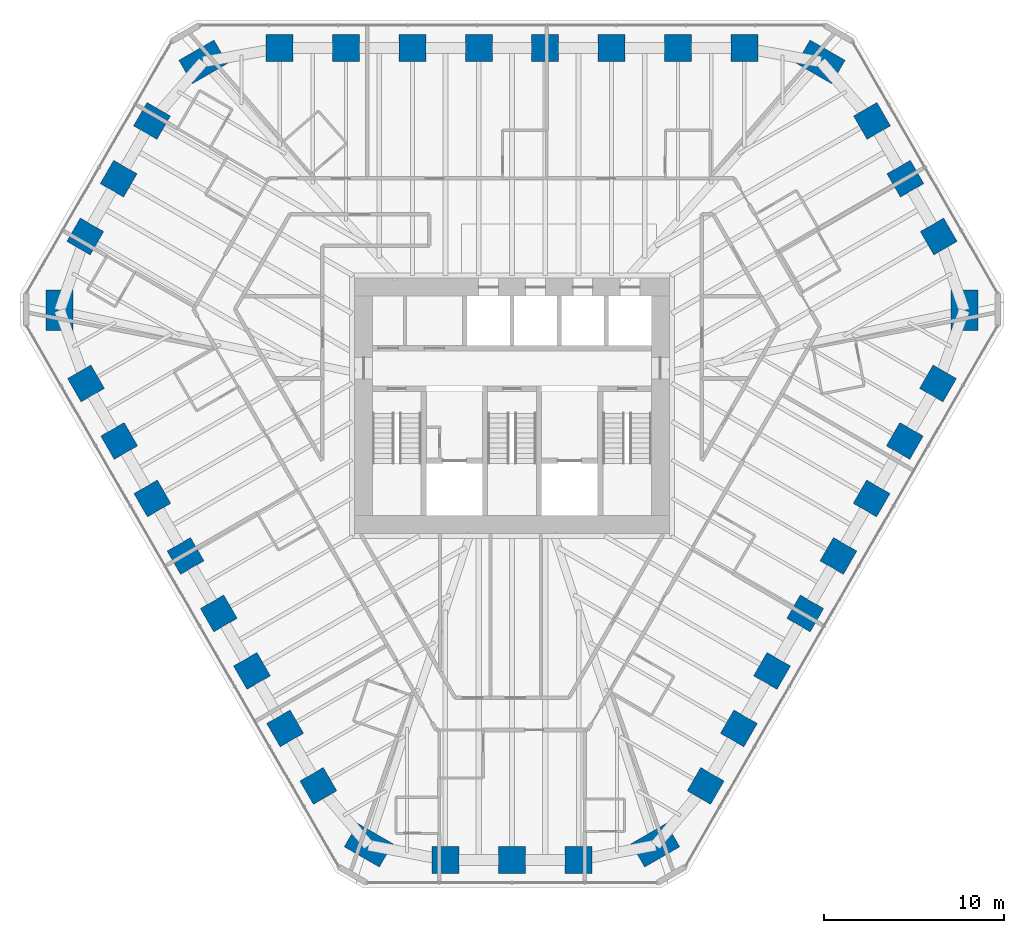
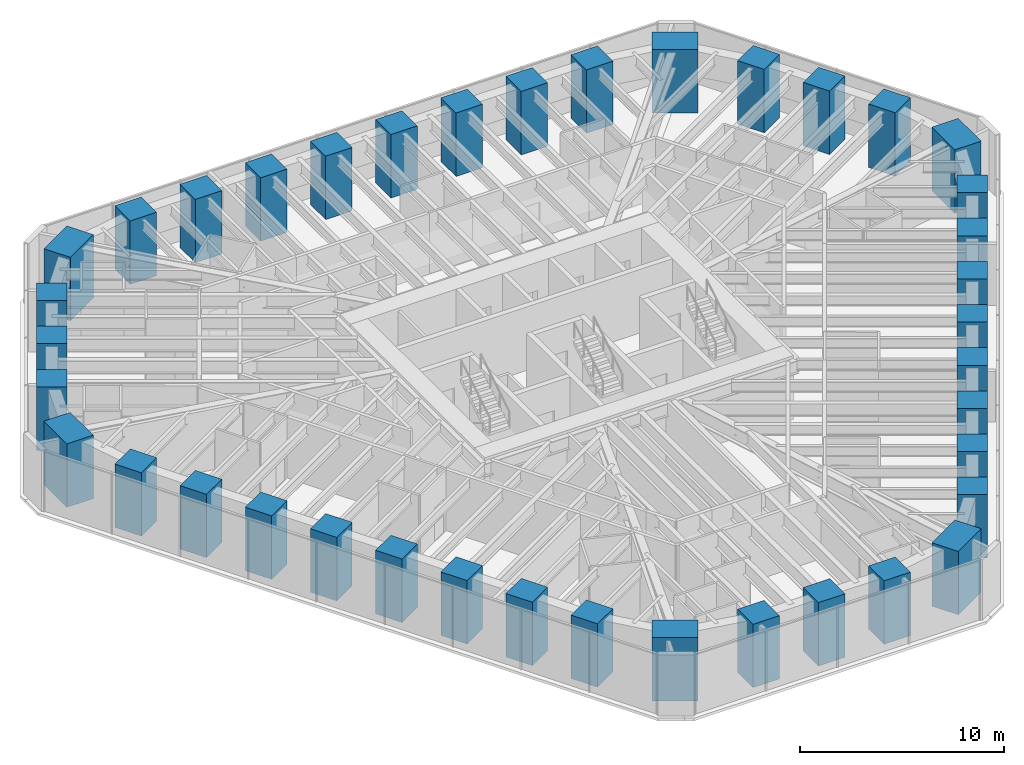
# One storey, part 1 of 16: 39 columns.
"""IFC4 building model written with IfcOpenShell, lengths in metres."""

from ifc_helpers import new_model, si_unit, direction, frame, origin, origin_2d, place, context, subcontext, project, spatial, rectangle, extrude, material, material_profile, profile_set, type_object, element, save


model = new_model("IFC4")

# Units and contexts
model_context = context("Model", 3, precision=1e-05, world=origin(), true_north=direction((0.0, 1.0)))
body_context = subcontext(model_context, "Body", "Model", "MODEL_VIEW")
ifc_project = project(units=[si_unit("LENGTHUNIT", "METRE"), si_unit("AREAUNIT", "SQUARE_METRE"), si_unit("VOLUMEUNIT", "CUBIC_METRE"), si_unit("PLANEANGLEUNIT", "RADIAN"), si_unit("MASSUNIT", "GRAM", prefix="KILO")], contexts=[model_context])

# Site, building, storey
site_placement = place(None, origin())
site = spatial("IfcSite", under=ifc_project, at=site_placement, CompositionType="ELEMENT")
building_placement = place(site_placement, origin())
building = spatial("IfcBuilding", under=site, at=building_placement, Name="Sandreach Pilgrim Tower", CompositionType="ELEMENT")
storey_placement = place(building_placement, frame((0.0, 0.0, 209.800048828125)))
storey = spatial("IfcBuildingStorey", under=building, at=storey_placement, Name="L52", CompositionType="ELEMENT", Elevation=209.800048828125)

# Columns
ifc_material_1 = material(Name="Concrete 10000 psi", Category="concrete")
ifc_material_profile_1 = material_profile(ifc_material_1, rectangle(XDim=1.5, YDim=1.5, at=origin_2d()), Name="RC1500X1500")
ifc_profile_set_1 = profile_set([ifc_material_profile_1], Name="Concrete 10000 psi")
column_type_1 = type_object("IfcColumnType", Name="Tube column RC1500X1500", PredefinedType="COLUMN", material=ifc_profile_set_1)
for number, where, z_axis, x_axis, name in (
    (1, (-12.923828125, 19.900146484375, 0.0), (0.0, 0.0, 1.0), (0.0, 1.0, 0.0), "COL L52 T01"),
    (2, (-9.231201171875, 19.900146484375, 0.0), (0.0, 0.0, 1.0), (0.0, 1.0, 0.0), "COL L52 T02"),
    (3, (-5.538818359375, 19.900146484375, 0.0), (0.0, 0.0, 1.0), (0.0, 1.0, 0.0), "COL L52 T03"),
    (4, (-1.84619140625, 19.900146484375, 0.0), (0.0, 0.0, 1.0), (0.0, 1.0, 0.0), "COL L52 T04"),
    (5, (1.84619140625, 19.900146484375, 0.0), (0.0, 0.0, 1.0), (0.0, 1.0, 0.0), "COL L52 T05"),
    (6, (5.538818359375, 19.900146484375, 0.0), (0.0, 0.0, 1.0), (0.0, 1.0, 0.0), "COL L52 T06"),
    (7, (9.231201171875, 19.900146484375, 0.0), (0.0, 0.0, 1.0), (0.0, 1.0, 0.0), "COL L52 T07"),
    (8, (12.923828125, 19.900146484375, 0.0), (0.0, 0.0, 1.0), (0.0, 1.0, 0.0), "COL L52 T08"),
    (9, (20.025146484375, 15.845947265625, 0.0), (0.0, 0.0, 1.0), (0.866025403784, 0.5, 0.0), "COL L52 T10"),
    (10, (21.88037109375, 12.632568359375, 0.0), (0.0, 0.0, 1.0), (0.866025403784, 0.5, 0.0), "COL L52 T11"),
    (11, (23.7353515625, 9.419189453125, 0.0), (0.0, 0.0, 1.0), (0.866025403784, 0.5, 0.0), "COL L52 T12"),
    (12, (23.69580078125, 1.2421875, 0.0), (0.0, 0.0, 1.0), (0.866025403784, -0.5, 0.0), "COL L52 T14"),
    (13, (21.849609375, -1.95556640625, 0.0), (0.0, 0.0, 1.0), (0.866025403784, -0.5, 0.0), "COL L52 T15"),
    (14, (20.00341796875, -5.1533203125, 0.0), (0.0, 0.0, 1.0), (0.866025403784, -0.5, 0.0), "COL L52 T16"),
    (15, (18.1572265625, -8.35107421875, 0.0), (0.0, 0.0, 1.0), (0.866025403784, -0.5, 0.0), "COL L52 T17"),
    (16, (16.310791015625, -11.548828125, 0.0), (0.0, 0.0, 1.0), (0.866025403784, -0.5, 0.0), "COL L52 T18"),
    (17, (14.464599609375, -14.746826171875, 0.0), (0.0, 0.0, 1.0), (0.866025403784, -0.5, 0.0), "COL L52 T19"),
    (18, (12.618408203125, -17.944580078125, 0.0), (0.0, 0.0, 1.0), (0.866025403784, -0.5, 0.0), "COL L52 T20"),
    (19, (10.772216796875, -21.142333984375, 0.0), (0.0, 0.0, 1.0), (0.866025403784, -0.5, 0.0), "COL L52 T21"),
    (20, (3.71044921875, -25.26513671875, 0.0), (0.0, 0.0, 1.0), (0.0, -1.0, 0.0), "COL L52 T23"),
    (21, (0.0, -25.26513671875, 0.0), (0.0, 0.0, 1.0), (0.0, -1.0, 0.0), "COL L52 T24"),
    (22, (-3.71044921875, -25.26513671875, 0.0), (0.0, 0.0, 1.0), (0.0, -1.0, 0.0), "COL L52 T25"),
    (23, (-10.772216796875, -21.142333984375, 0.0), (0.0, 0.0, 1.0), (-0.866025403784, -0.5, 0.0), "COL L52 T27"),
    (24, (-12.618408203125, -17.944580078125, 0.0), (0.0, 0.0, 1.0), (-0.866025403784, -0.5, 0.0), "COL L52 T28"),
    (25, (-14.464599609375, -14.746826171875, 0.0), (0.0, 0.0, 1.0), (-0.866025403784, -0.5, 0.0), "COL L52 T29"),
    (26, (-16.310791015625, -11.548828125, 0.0), (0.0, 0.0, 1.0), (-0.866025403784, -0.5, 0.0), "COL L52 T30"),
    (27, (-18.1572265625, -8.35107421875, 0.0), (0.0, 0.0, 1.0), (-0.866025403784, -0.5, 0.0), "COL L52 T31"),
    (28, (-20.00341796875, -5.1533203125, 0.0), (0.0, 0.0, 1.0), (-0.866025403784, -0.5, 0.0), "COL L52 T32"),
    (29, (-21.849609375, -1.95556640625, 0.0), (0.0, 0.0, 1.0), (-0.866025403784, -0.5, 0.0), "COL L52 T33"),
    (30, (-23.69580078125, 1.2421875, 0.0), (0.0, 0.0, 1.0), (-0.866025403784, -0.5, 0.0), "COL L52 T34"),
    (31, (-23.7353515625, 9.419189453125, 0.0), (0.0, 0.0, 1.0), (-0.866025403784, 0.5, 0.0), "COL L52 T36"),
    (32, (-21.88037109375, 12.632568359375, 0.0), (0.0, 0.0, 1.0), (-0.866025403784, 0.5, 0.0), "COL L52 T37"),
    (33, (-20.025146484375, 15.845947265625, 0.0), (0.0, 0.0, 1.0), (-0.866025403784, 0.5, 0.0), "COL L52 T38"),
):
    element("IfcColumn", number, at=place(storey_placement, frame(where, z_axis=z_axis, x_axis=x_axis)), inside=storey, type_object=column_type_1, Name=name, PredefinedType="COLUMN", context=body_context, shape_type="SweptSolid", body=[
        extrude(rectangle(XDim=1.5, YDim=1.5, at=origin_2d()), origin(), (0.0, 0.0, 1.0), 3.800048828125),
    ])
ifc_material_2 = material(Name="Concrete 10000 psi", Category="concrete")
ifc_material_profile_2 = material_profile(ifc_material_2, rectangle(XDim=1.5, YDim=2.25, at=origin_2d()), Name="RC1500X2250")
ifc_profile_set_2 = profile_set([ifc_material_profile_2], Name="Concrete 10000 psi")
column_type_2 = type_object("IfcColumnType", Name="Tube corner pier RC1500X2250", PredefinedType="COLUMN", material=ifc_profile_set_2)
for number, where, z_axis, x_axis, name in (
    (34, (17.177978515625, 19.130615234375, 0.0), (0.0, 0.0, 1.0), (0.5, 0.866025403784, 0.0), "COL L52 T09"),
    (35, (25.156494140625, 5.311279296875, 0.0), (0.0, 0.0, 1.0), (1.0, 0.0, 0.0), "COL L52 T13"),
    (36, (7.978515625, -24.44189453125, 0.0), (0.0, 0.0, 1.0), (0.5, -0.866025403784, 0.0), "COL L52 T22"),
    (37, (-7.978515625, -24.44189453125, 0.0), (0.0, 0.0, 1.0), (-0.5, -0.866025403784, 0.0), "COL L52 T26"),
    (38, (-25.156494140625, 5.311279296875, 0.0), (0.0, 0.0, 1.0), (-1.0, 0.0, 0.0), "COL L52 T35"),
    (39, (-17.177978515625, 19.130615234375, 0.0), (0.0, 0.0, 1.0), (-0.5, 0.866025403784, 0.0), "COL L52 T39"),
):
    element("IfcColumn", number, at=place(storey_placement, frame(where, z_axis=z_axis, x_axis=x_axis)), inside=storey, type_object=column_type_2, Name=name, PredefinedType="COLUMN", context=body_context, shape_type="SweptSolid", body=[
        extrude(rectangle(XDim=1.5, YDim=2.25, at=origin_2d()), origin(), (0.0, 0.0, 1.0), 3.800048828125),
    ])

save(model, "model.ifc")
